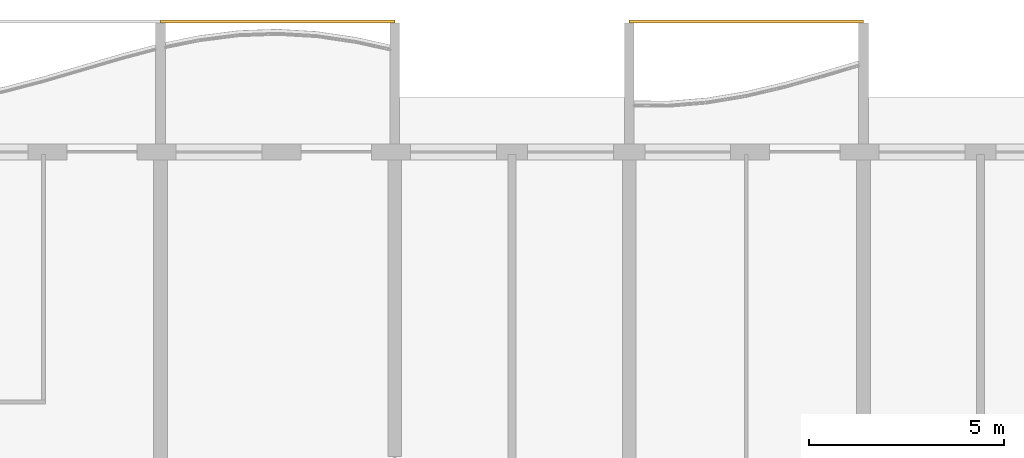
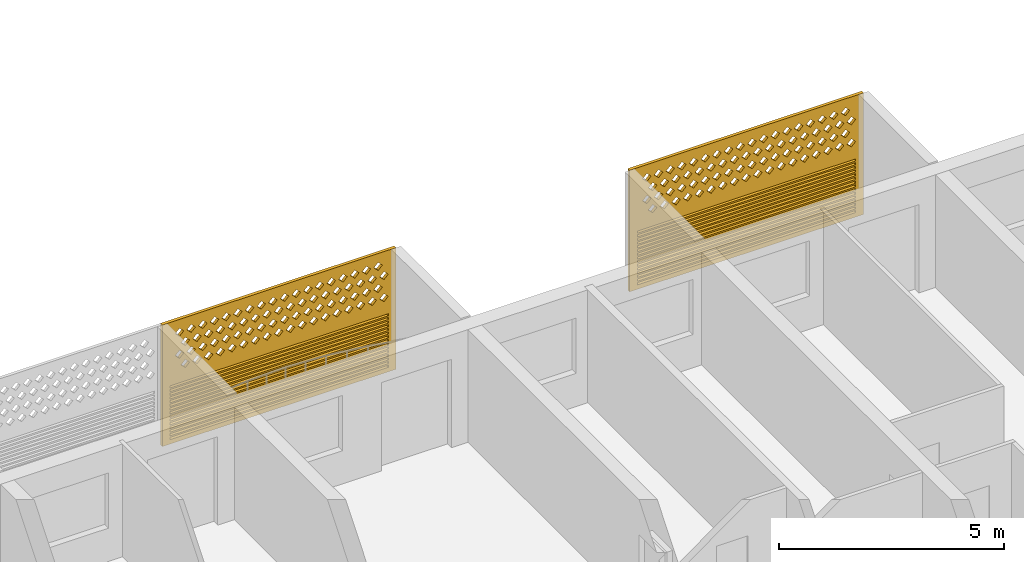
# One storey, part 25 of 28: 2 coverings.
"""IFC4 building model written with IfcOpenShell, lengths in metres."""

from ifc_helpers import new_model, si_unit, direction, frame, origin, place, context, subcontext, project, spatial, polyline, outline, extrude, source, transform, mapped, material, material_profile, profile_set, type_object, element, save


model = new_model("IFC4")

# Units and contexts
model_context = context("Model", 3, precision=1e-05, world=origin(), true_north=direction((0.0, 1.0)))
body_context = subcontext(model_context, "Body", "Model", "MODEL_VIEW")
ifc_project = project(units=[si_unit("LENGTHUNIT", "METRE"), si_unit("AREAUNIT", "SQUARE_METRE"), si_unit("VOLUMEUNIT", "CUBIC_METRE"), si_unit("PLANEANGLEUNIT", "RADIAN"), si_unit("MASSUNIT", "GRAM", prefix="KILO")], contexts=[model_context])

# Site, building, storey
site_placement = place(None, origin())
site = spatial("IfcSite", under=ifc_project, at=site_placement, CompositionType="ELEMENT")
building_placement = place(site_placement, origin())
building = spatial("IfcBuilding", under=site, at=building_placement, Name="Poui Terraces", CompositionType="ELEMENT")
storey_placement = place(building_placement, frame((0.0, 0.0, 72.89990234375)))
storey = spatial("IfcBuildingStorey", under=building, at=storey_placement, Name="L19", CompositionType="ELEMENT", Elevation=72.89990234375)

# Coverings
ifc_material = material(Name="Terracotta screen", Category="masonry")
ifc_material_profile = material_profile(ifc_material, outline(polyline([(-3.0, -1.64990234375), (3.0, -1.64990234375), (3.0, 1.64990234375), (-3.0, 1.64990234375), (-3.0, -1.64990234375)]), holes=[polyline([(-2.800048828125, 0.39990234375), (-2.68994140625, 0.2900390625), (-2.580078125, 0.39990234375), (-2.68994140625, 0.510009765625), (-2.800048828125, 0.39990234375)]), polyline([(-2.5, 0.39990234375), (-2.389892578125, 0.2900390625), (-2.280029296875, 0.39990234375), (-2.389892578125, 0.510009765625), (-2.5, 0.39990234375)]), polyline([(-2.199951171875, 0.39990234375), (-2.090087890625, 0.2900390625), (-1.97998046875, 0.39990234375), (-2.090087890625, 0.510009765625), (-2.199951171875, 0.39990234375)]), polyline([(-1.89990234375, 0.39990234375), (-1.7900390625, 0.2900390625), (-1.679931640625, 0.39990234375), (-1.7900390625, 0.510009765625), (-1.89990234375, 0.39990234375)]), polyline([(-1.60009765625, 0.39990234375), (-1.489990234375, 0.2900390625), (-1.3798828125, 0.39990234375), (-1.489990234375, 0.510009765625), (-1.60009765625, 0.39990234375)]), polyline([(-1.300048828125, 0.39990234375), (-1.18994140625, 0.2900390625), (-1.080078125, 0.39990234375), (-1.18994140625, 0.510009765625), (-1.300048828125, 0.39990234375)]), polyline([(-1.0, 0.39990234375), (-0.889892578125, 0.2900390625), (-0.780029296875, 0.39990234375), (-0.889892578125, 0.510009765625), (-1.0, 0.39990234375)]), polyline([(-0.699951171875, 0.39990234375), (-0.590087890625, 0.2900390625), (-0.47998046875, 0.39990234375), (-0.590087890625, 0.510009765625), (-0.699951171875, 0.39990234375)]), polyline([(-0.39990234375, 0.39990234375), (-0.2900390625, 0.2900390625), (-0.179931640625, 0.39990234375), (-0.2900390625, 0.510009765625), (-0.39990234375, 0.39990234375)]), polyline([(-0.10009765625, 0.39990234375), (0.010009765625, 0.2900390625), (0.1201171875, 0.39990234375), (0.010009765625, 0.510009765625), (-0.10009765625, 0.39990234375)]), polyline([(0.199951171875, 0.39990234375), (0.31005859375, 0.2900390625), (0.419921875, 0.39990234375), (0.31005859375, 0.510009765625), (0.199951171875, 0.39990234375)]), polyline([(0.5, 0.39990234375), (0.610107421875, 0.2900390625), (0.719970703125, 0.39990234375), (0.610107421875, 0.510009765625), (0.5, 0.39990234375)]), polyline([(0.800048828125, 0.39990234375), (0.909912109375, 0.2900390625), (1.02001953125, 0.39990234375), (0.909912109375, 0.510009765625), (0.800048828125, 0.39990234375)]), polyline([(1.10009765625, 0.39990234375), (1.2099609375, 0.2900390625), (1.320068359375, 0.39990234375), (1.2099609375, 0.510009765625), (1.10009765625, 0.39990234375)]), polyline([(1.39990234375, 0.39990234375), (1.510009765625, 0.2900390625), (1.6201171875, 0.39990234375), (1.510009765625, 0.510009765625), (1.39990234375, 0.39990234375)]), polyline([(1.699951171875, 0.39990234375), (1.81005859375, 0.2900390625), (1.919921875, 0.39990234375), (1.81005859375, 0.510009765625), (1.699951171875, 0.39990234375)]), polyline([(2.0, 0.39990234375), (2.110107421875, 0.2900390625), (2.219970703125, 0.39990234375), (2.110107421875, 0.510009765625), (2.0, 0.39990234375)]), polyline([(2.300048828125, 0.39990234375), (2.409912109375, 0.2900390625), (2.52001953125, 0.39990234375), (2.409912109375, 0.510009765625), (2.300048828125, 0.39990234375)]), polyline([(-2.64990234375, 0.699951171875), (-2.5400390625, 0.590087890625), (-2.429931640625, 0.699951171875), (-2.5400390625, 0.81005859375), (-2.64990234375, 0.699951171875)]), polyline([(-2.35009765625, 0.699951171875), (-2.239990234375, 0.590087890625), (-2.1298828125, 0.699951171875), (-2.239990234375, 0.81005859375), (-2.35009765625, 0.699951171875)]), polyline([(-2.050048828125, 0.699951171875), (-1.93994140625, 0.590087890625), (-1.830078125, 0.699951171875), (-1.93994140625, 0.81005859375), (-2.050048828125, 0.699951171875)]), polyline([(-1.75, 0.699951171875), (-1.639892578125, 0.590087890625), (-1.530029296875, 0.699951171875), (-1.639892578125, 0.81005859375), (-1.75, 0.699951171875)]), polyline([(-1.449951171875, 0.699951171875), (-1.340087890625, 0.590087890625), (-1.22998046875, 0.699951171875), (-1.340087890625, 0.81005859375), (-1.449951171875, 0.699951171875)]), polyline([(-1.14990234375, 0.699951171875), (-1.0400390625, 0.590087890625), (-0.929931640625, 0.699951171875), (-1.0400390625, 0.81005859375), (-1.14990234375, 0.699951171875)]), polyline([(-0.85009765625, 0.699951171875), (-0.739990234375, 0.590087890625), (-0.6298828125, 0.699951171875), (-0.739990234375, 0.81005859375), (-0.85009765625, 0.699951171875)]), polyline([(-0.550048828125, 0.699951171875), (-0.43994140625, 0.590087890625), (-0.330078125, 0.699951171875), (-0.43994140625, 0.81005859375), (-0.550048828125, 0.699951171875)]), polyline([(-0.25, 0.699951171875), (-0.139892578125, 0.590087890625), (-0.030029296875, 0.699951171875), (-0.139892578125, 0.81005859375), (-0.25, 0.699951171875)]), polyline([(0.050048828125, 0.699951171875), (0.159912109375, 0.590087890625), (0.27001953125, 0.699951171875), (0.159912109375, 0.81005859375), (0.050048828125, 0.699951171875)]), polyline([(0.35009765625, 0.699951171875), (0.4599609375, 0.590087890625), (0.570068359375, 0.699951171875), (0.4599609375, 0.81005859375), (0.35009765625, 0.699951171875)]), polyline([(0.64990234375, 0.699951171875), (0.760009765625, 0.590087890625), (0.8701171875, 0.699951171875), (0.760009765625, 0.81005859375), (0.64990234375, 0.699951171875)]), polyline([(0.949951171875, 0.699951171875), (1.06005859375, 0.590087890625), (1.169921875, 0.699951171875), (1.06005859375, 0.81005859375), (0.949951171875, 0.699951171875)]), polyline([(1.25, 0.699951171875), (1.360107421875, 0.590087890625), (1.469970703125, 0.699951171875), (1.360107421875, 0.81005859375), (1.25, 0.699951171875)]), polyline([(1.550048828125, 0.699951171875), (1.659912109375, 0.590087890625), (1.77001953125, 0.699951171875), (1.659912109375, 0.81005859375), (1.550048828125, 0.699951171875)]), polyline([(1.85009765625, 0.699951171875), (1.9599609375, 0.590087890625), (2.070068359375, 0.699951171875), (1.9599609375, 0.81005859375), (1.85009765625, 0.699951171875)]), polyline([(2.14990234375, 0.699951171875), (2.260009765625, 0.590087890625), (2.3701171875, 0.699951171875), (2.260009765625, 0.81005859375), (2.14990234375, 0.699951171875)]), polyline([(2.449951171875, 0.699951171875), (2.56005859375, 0.590087890625), (2.669921875, 0.699951171875), (2.56005859375, 0.81005859375), (2.449951171875, 0.699951171875)]), polyline([(-2.800048828125, 1.0), (-2.68994140625, 0.889892578125), (-2.580078125, 1.0), (-2.68994140625, 1.110107421875), (-2.800048828125, 1.0)]), polyline([(-2.5, 1.0), (-2.389892578125, 0.889892578125), (-2.280029296875, 1.0), (-2.389892578125, 1.110107421875), (-2.5, 1.0)]), polyline([(-2.199951171875, 1.0), (-2.090087890625, 0.889892578125), (-1.97998046875, 1.0), (-2.090087890625, 1.110107421875), (-2.199951171875, 1.0)]), polyline([(-1.89990234375, 1.0), (-1.7900390625, 0.889892578125), (-1.679931640625, 1.0), (-1.7900390625, 1.110107421875), (-1.89990234375, 1.0)]), polyline([(-1.60009765625, 1.0), (-1.489990234375, 0.889892578125), (-1.3798828125, 1.0), (-1.489990234375, 1.110107421875), (-1.60009765625, 1.0)]), polyline([(-1.300048828125, 1.0), (-1.18994140625, 0.889892578125), (-1.080078125, 1.0), (-1.18994140625, 1.110107421875), (-1.300048828125, 1.0)]), polyline([(-1.0, 1.0), (-0.889892578125, 0.889892578125), (-0.780029296875, 1.0), (-0.889892578125, 1.110107421875), (-1.0, 1.0)]), polyline([(-0.699951171875, 1.0), (-0.590087890625, 0.889892578125), (-0.47998046875, 1.0), (-0.590087890625, 1.110107421875), (-0.699951171875, 1.0)]), polyline([(-0.39990234375, 1.0), (-0.2900390625, 0.889892578125), (-0.179931640625, 1.0), (-0.2900390625, 1.110107421875), (-0.39990234375, 1.0)]), polyline([(-0.10009765625, 1.0), (0.010009765625, 0.889892578125), (0.1201171875, 1.0), (0.010009765625, 1.110107421875), (-0.10009765625, 1.0)]), polyline([(0.199951171875, 1.0), (0.31005859375, 0.889892578125), (0.419921875, 1.0), (0.31005859375, 1.110107421875), (0.199951171875, 1.0)]), polyline([(0.5, 1.0), (0.610107421875, 0.889892578125), (0.719970703125, 1.0), (0.610107421875, 1.110107421875), (0.5, 1.0)]), polyline([(0.800048828125, 1.0), (0.909912109375, 0.889892578125), (1.02001953125, 1.0), (0.909912109375, 1.110107421875), (0.800048828125, 1.0)]), polyline([(1.10009765625, 1.0), (1.2099609375, 0.889892578125), (1.320068359375, 1.0), (1.2099609375, 1.110107421875), (1.10009765625, 1.0)]), polyline([(1.39990234375, 1.0), (1.510009765625, 0.889892578125), (1.6201171875, 1.0), (1.510009765625, 1.110107421875), (1.39990234375, 1.0)]), polyline([(1.699951171875, 1.0), (1.81005859375, 0.889892578125), (1.919921875, 1.0), (1.81005859375, 1.110107421875), (1.699951171875, 1.0)]), polyline([(2.0, 1.0), (2.110107421875, 0.889892578125), (2.219970703125, 1.0), (2.110107421875, 1.110107421875), (2.0, 1.0)]), polyline([(2.300048828125, 1.0), (2.409912109375, 0.889892578125), (2.52001953125, 1.0), (2.409912109375, 1.110107421875), (2.300048828125, 1.0)]), polyline([(-2.64990234375, 1.300048828125), (-2.5400390625, 1.18994140625), (-2.429931640625, 1.300048828125), (-2.5400390625, 1.409912109375), (-2.64990234375, 1.300048828125)]), polyline([(-2.35009765625, 1.300048828125), (-2.239990234375, 1.18994140625), (-2.1298828125, 1.300048828125), (-2.239990234375, 1.409912109375), (-2.35009765625, 1.300048828125)]), polyline([(-2.050048828125, 1.300048828125), (-1.93994140625, 1.18994140625), (-1.830078125, 1.300048828125), (-1.93994140625, 1.409912109375), (-2.050048828125, 1.300048828125)]), polyline([(-1.75, 1.300048828125), (-1.639892578125, 1.18994140625), (-1.530029296875, 1.300048828125), (-1.639892578125, 1.409912109375), (-1.75, 1.300048828125)]), polyline([(-1.449951171875, 1.300048828125), (-1.340087890625, 1.18994140625), (-1.22998046875, 1.300048828125), (-1.340087890625, 1.409912109375), (-1.449951171875, 1.300048828125)]), polyline([(-1.14990234375, 1.300048828125), (-1.0400390625, 1.18994140625), (-0.929931640625, 1.300048828125), (-1.0400390625, 1.409912109375), (-1.14990234375, 1.300048828125)]), polyline([(-0.85009765625, 1.300048828125), (-0.739990234375, 1.18994140625), (-0.6298828125, 1.300048828125), (-0.739990234375, 1.409912109375), (-0.85009765625, 1.300048828125)]), polyline([(-0.550048828125, 1.300048828125), (-0.43994140625, 1.18994140625), (-0.330078125, 1.300048828125), (-0.43994140625, 1.409912109375), (-0.550048828125, 1.300048828125)]), polyline([(-0.25, 1.300048828125), (-0.139892578125, 1.18994140625), (-0.030029296875, 1.300048828125), (-0.139892578125, 1.409912109375), (-0.25, 1.300048828125)]), polyline([(0.050048828125, 1.300048828125), (0.159912109375, 1.18994140625), (0.27001953125, 1.300048828125), (0.159912109375, 1.409912109375), (0.050048828125, 1.300048828125)]), polyline([(0.35009765625, 1.300048828125), (0.4599609375, 1.18994140625), (0.570068359375, 1.300048828125), (0.4599609375, 1.409912109375), (0.35009765625, 1.300048828125)]), polyline([(0.64990234375, 1.300048828125), (0.760009765625, 1.18994140625), (0.8701171875, 1.300048828125), (0.760009765625, 1.409912109375), (0.64990234375, 1.300048828125)]), polyline([(0.949951171875, 1.300048828125), (1.06005859375, 1.18994140625), (1.169921875, 1.300048828125), (1.06005859375, 1.409912109375), (0.949951171875, 1.300048828125)]), polyline([(1.25, 1.300048828125), (1.360107421875, 1.18994140625), (1.469970703125, 1.300048828125), (1.360107421875, 1.409912109375), (1.25, 1.300048828125)]), polyline([(1.550048828125, 1.300048828125), (1.659912109375, 1.18994140625), (1.77001953125, 1.300048828125), (1.659912109375, 1.409912109375), (1.550048828125, 1.300048828125)]), polyline([(1.85009765625, 1.300048828125), (1.9599609375, 1.18994140625), (2.070068359375, 1.300048828125), (1.9599609375, 1.409912109375), (1.85009765625, 1.300048828125)]), polyline([(2.14990234375, 1.300048828125), (2.260009765625, 1.18994140625), (2.3701171875, 1.300048828125), (2.260009765625, 1.409912109375), (2.14990234375, 1.300048828125)]), polyline([(2.449951171875, 1.300048828125), (2.56005859375, 1.18994140625), (2.669921875, 1.300048828125), (2.56005859375, 1.409912109375), (2.449951171875, 1.300048828125)]), polyline([(-2.800048828125, -1.530029296875), (2.800048828125, -1.530029296875), (2.800048828125, -1.469970703125), (-2.800048828125, -1.469970703125), (-2.800048828125, -1.530029296875)]), polyline([(-2.800048828125, -1.429931640625), (2.800048828125, -1.429931640625), (2.800048828125, -1.3701171875), (-2.800048828125, -1.3701171875), (-2.800048828125, -1.429931640625)]), polyline([(-2.800048828125, -1.330078125), (2.800048828125, -1.330078125), (2.800048828125, -1.27001953125), (-2.800048828125, -1.27001953125), (-2.800048828125, -1.330078125)]), polyline([(-2.800048828125, -1.22998046875), (2.800048828125, -1.22998046875), (2.800048828125, -1.169921875), (-2.800048828125, -1.169921875), (-2.800048828125, -1.22998046875)]), polyline([(-2.800048828125, -1.1298828125), (2.800048828125, -1.1298828125), (2.800048828125, -1.070068359375), (-2.800048828125, -1.070068359375), (-2.800048828125, -1.1298828125)]), polyline([(-2.800048828125, -1.030029296875), (2.800048828125, -1.030029296875), (2.800048828125, -0.969970703125), (-2.800048828125, -0.969970703125), (-2.800048828125, -1.030029296875)]), polyline([(-2.800048828125, -0.929931640625), (2.800048828125, -0.929931640625), (2.800048828125, -0.8701171875), (-2.800048828125, -0.8701171875), (-2.800048828125, -0.929931640625)]), polyline([(-2.800048828125, -0.830078125), (2.800048828125, -0.830078125), (2.800048828125, -0.77001953125), (-2.800048828125, -0.77001953125), (-2.800048828125, -0.830078125)]), polyline([(-2.800048828125, -0.72998046875), (2.800048828125, -0.72998046875), (2.800048828125, -0.669921875), (-2.800048828125, -0.669921875), (-2.800048828125, -0.72998046875)]), polyline([(-2.800048828125, -0.6298828125), (2.800048828125, -0.6298828125), (2.800048828125, -0.570068359375), (-2.800048828125, -0.570068359375), (-2.800048828125, -0.6298828125)]), polyline([(-2.800048828125, -0.530029296875), (2.800048828125, -0.530029296875), (2.800048828125, -0.469970703125), (-2.800048828125, -0.469970703125), (-2.800048828125, -0.530029296875)]), polyline([(-2.800048828125, -0.429931640625), (2.800048828125, -0.429931640625), (2.800048828125, -0.3701171875), (-2.800048828125, -0.3701171875), (-2.800048828125, -0.429931640625)]), polyline([(-2.800048828125, -0.330078125), (2.800048828125, -0.330078125), (2.800048828125, -0.27001953125), (-2.800048828125, -0.27001953125), (-2.800048828125, -0.330078125)]), polyline([(-2.800048828125, -0.22998046875), (2.800048828125, -0.22998046875), (2.800048828125, -0.169921875), (-2.800048828125, -0.169921875), (-2.800048828125, -0.22998046875)]), polyline([(-2.800048828125, -0.1298828125), (2.800048828125, -0.1298828125), (2.800048828125, -0.070068359375), (-2.800048828125, -0.070068359375), (-2.800048828125, -0.1298828125)])]), Name="TERRACOTTA SCREEN AND JALOUSIE LOUVRE 6000X3300")
ifc_profile_set = profile_set([ifc_material_profile], Name="Terracotta screen")
covering_type = type_object("IfcCoveringType", Name="TERRACOTTA SCREEN AND JALOUSIE LOUVRE 6000X3300", PredefinedType="CLADDING", material=ifc_profile_set)
shared_shape = source(origin(), body_context, "Body", "SweptSolid", [
    extrude(outline(polyline([(-3.0, -1.64990234375), (3.0, -1.64990234375), (3.0, 1.64990234375), (-3.0, 1.64990234375), (-3.0, -1.64990234375)]), holes=[polyline([(-2.800048828125, 0.39990234375), (-2.68994140625, 0.2900390625), (-2.580078125, 0.39990234375), (-2.68994140625, 0.510009765625), (-2.800048828125, 0.39990234375)]), polyline([(-2.5, 0.39990234375), (-2.389892578125, 0.2900390625), (-2.280029296875, 0.39990234375), (-2.389892578125, 0.510009765625), (-2.5, 0.39990234375)]), polyline([(-2.199951171875, 0.39990234375), (-2.090087890625, 0.2900390625), (-1.97998046875, 0.39990234375), (-2.090087890625, 0.510009765625), (-2.199951171875, 0.39990234375)]), polyline([(-1.89990234375, 0.39990234375), (-1.7900390625, 0.2900390625), (-1.679931640625, 0.39990234375), (-1.7900390625, 0.510009765625), (-1.89990234375, 0.39990234375)]), polyline([(-1.60009765625, 0.39990234375), (-1.489990234375, 0.2900390625), (-1.3798828125, 0.39990234375), (-1.489990234375, 0.510009765625), (-1.60009765625, 0.39990234375)]), polyline([(-1.300048828125, 0.39990234375), (-1.18994140625, 0.2900390625), (-1.080078125, 0.39990234375), (-1.18994140625, 0.510009765625), (-1.300048828125, 0.39990234375)]), polyline([(-1.0, 0.39990234375), (-0.889892578125, 0.2900390625), (-0.780029296875, 0.39990234375), (-0.889892578125, 0.510009765625), (-1.0, 0.39990234375)]), polyline([(-0.699951171875, 0.39990234375), (-0.590087890625, 0.2900390625), (-0.47998046875, 0.39990234375), (-0.590087890625, 0.510009765625), (-0.699951171875, 0.39990234375)]), polyline([(-0.39990234375, 0.39990234375), (-0.2900390625, 0.2900390625), (-0.179931640625, 0.39990234375), (-0.2900390625, 0.510009765625), (-0.39990234375, 0.39990234375)]), polyline([(-0.10009765625, 0.39990234375), (0.010009765625, 0.2900390625), (0.1201171875, 0.39990234375), (0.010009765625, 0.510009765625), (-0.10009765625, 0.39990234375)]), polyline([(0.199951171875, 0.39990234375), (0.31005859375, 0.2900390625), (0.419921875, 0.39990234375), (0.31005859375, 0.510009765625), (0.199951171875, 0.39990234375)]), polyline([(0.5, 0.39990234375), (0.610107421875, 0.2900390625), (0.719970703125, 0.39990234375), (0.610107421875, 0.510009765625), (0.5, 0.39990234375)]), polyline([(0.800048828125, 0.39990234375), (0.909912109375, 0.2900390625), (1.02001953125, 0.39990234375), (0.909912109375, 0.510009765625), (0.800048828125, 0.39990234375)]), polyline([(1.10009765625, 0.39990234375), (1.2099609375, 0.2900390625), (1.320068359375, 0.39990234375), (1.2099609375, 0.510009765625), (1.10009765625, 0.39990234375)]), polyline([(1.39990234375, 0.39990234375), (1.510009765625, 0.2900390625), (1.6201171875, 0.39990234375), (1.510009765625, 0.510009765625), (1.39990234375, 0.39990234375)]), polyline([(1.699951171875, 0.39990234375), (1.81005859375, 0.2900390625), (1.919921875, 0.39990234375), (1.81005859375, 0.510009765625), (1.699951171875, 0.39990234375)]), polyline([(2.0, 0.39990234375), (2.110107421875, 0.2900390625), (2.219970703125, 0.39990234375), (2.110107421875, 0.510009765625), (2.0, 0.39990234375)]), polyline([(2.300048828125, 0.39990234375), (2.409912109375, 0.2900390625), (2.52001953125, 0.39990234375), (2.409912109375, 0.510009765625), (2.300048828125, 0.39990234375)]), polyline([(-2.64990234375, 0.699951171875), (-2.5400390625, 0.590087890625), (-2.429931640625, 0.699951171875), (-2.5400390625, 0.81005859375), (-2.64990234375, 0.699951171875)]), polyline([(-2.35009765625, 0.699951171875), (-2.239990234375, 0.590087890625), (-2.1298828125, 0.699951171875), (-2.239990234375, 0.81005859375), (-2.35009765625, 0.699951171875)]), polyline([(-2.050048828125, 0.699951171875), (-1.93994140625, 0.590087890625), (-1.830078125, 0.699951171875), (-1.93994140625, 0.81005859375), (-2.050048828125, 0.699951171875)]), polyline([(-1.75, 0.699951171875), (-1.639892578125, 0.590087890625), (-1.530029296875, 0.699951171875), (-1.639892578125, 0.81005859375), (-1.75, 0.699951171875)]), polyline([(-1.449951171875, 0.699951171875), (-1.340087890625, 0.590087890625), (-1.22998046875, 0.699951171875), (-1.340087890625, 0.81005859375), (-1.449951171875, 0.699951171875)]), polyline([(-1.14990234375, 0.699951171875), (-1.0400390625, 0.590087890625), (-0.929931640625, 0.699951171875), (-1.0400390625, 0.81005859375), (-1.14990234375, 0.699951171875)]), polyline([(-0.85009765625, 0.699951171875), (-0.739990234375, 0.590087890625), (-0.6298828125, 0.699951171875), (-0.739990234375, 0.81005859375), (-0.85009765625, 0.699951171875)]), polyline([(-0.550048828125, 0.699951171875), (-0.43994140625, 0.590087890625), (-0.330078125, 0.699951171875), (-0.43994140625, 0.81005859375), (-0.550048828125, 0.699951171875)]), polyline([(-0.25, 0.699951171875), (-0.139892578125, 0.590087890625), (-0.030029296875, 0.699951171875), (-0.139892578125, 0.81005859375), (-0.25, 0.699951171875)]), polyline([(0.050048828125, 0.699951171875), (0.159912109375, 0.590087890625), (0.27001953125, 0.699951171875), (0.159912109375, 0.81005859375), (0.050048828125, 0.699951171875)]), polyline([(0.35009765625, 0.699951171875), (0.4599609375, 0.590087890625), (0.570068359375, 0.699951171875), (0.4599609375, 0.81005859375), (0.35009765625, 0.699951171875)]), polyline([(0.64990234375, 0.699951171875), (0.760009765625, 0.590087890625), (0.8701171875, 0.699951171875), (0.760009765625, 0.81005859375), (0.64990234375, 0.699951171875)]), polyline([(0.949951171875, 0.699951171875), (1.06005859375, 0.590087890625), (1.169921875, 0.699951171875), (1.06005859375, 0.81005859375), (0.949951171875, 0.699951171875)]), polyline([(1.25, 0.699951171875), (1.360107421875, 0.590087890625), (1.469970703125, 0.699951171875), (1.360107421875, 0.81005859375), (1.25, 0.699951171875)]), polyline([(1.550048828125, 0.699951171875), (1.659912109375, 0.590087890625), (1.77001953125, 0.699951171875), (1.659912109375, 0.81005859375), (1.550048828125, 0.699951171875)]), polyline([(1.85009765625, 0.699951171875), (1.9599609375, 0.590087890625), (2.070068359375, 0.699951171875), (1.9599609375, 0.81005859375), (1.85009765625, 0.699951171875)]), polyline([(2.14990234375, 0.699951171875), (2.260009765625, 0.590087890625), (2.3701171875, 0.699951171875), (2.260009765625, 0.81005859375), (2.14990234375, 0.699951171875)]), polyline([(2.449951171875, 0.699951171875), (2.56005859375, 0.590087890625), (2.669921875, 0.699951171875), (2.56005859375, 0.81005859375), (2.449951171875, 0.699951171875)]), polyline([(-2.800048828125, 1.0), (-2.68994140625, 0.889892578125), (-2.580078125, 1.0), (-2.68994140625, 1.110107421875), (-2.800048828125, 1.0)]), polyline([(-2.5, 1.0), (-2.389892578125, 0.889892578125), (-2.280029296875, 1.0), (-2.389892578125, 1.110107421875), (-2.5, 1.0)]), polyline([(-2.199951171875, 1.0), (-2.090087890625, 0.889892578125), (-1.97998046875, 1.0), (-2.090087890625, 1.110107421875), (-2.199951171875, 1.0)]), polyline([(-1.89990234375, 1.0), (-1.7900390625, 0.889892578125), (-1.679931640625, 1.0), (-1.7900390625, 1.110107421875), (-1.89990234375, 1.0)]), polyline([(-1.60009765625, 1.0), (-1.489990234375, 0.889892578125), (-1.3798828125, 1.0), (-1.489990234375, 1.110107421875), (-1.60009765625, 1.0)]), polyline([(-1.300048828125, 1.0), (-1.18994140625, 0.889892578125), (-1.080078125, 1.0), (-1.18994140625, 1.110107421875), (-1.300048828125, 1.0)]), polyline([(-1.0, 1.0), (-0.889892578125, 0.889892578125), (-0.780029296875, 1.0), (-0.889892578125, 1.110107421875), (-1.0, 1.0)]), polyline([(-0.699951171875, 1.0), (-0.590087890625, 0.889892578125), (-0.47998046875, 1.0), (-0.590087890625, 1.110107421875), (-0.699951171875, 1.0)]), polyline([(-0.39990234375, 1.0), (-0.2900390625, 0.889892578125), (-0.179931640625, 1.0), (-0.2900390625, 1.110107421875), (-0.39990234375, 1.0)]), polyline([(-0.10009765625, 1.0), (0.010009765625, 0.889892578125), (0.1201171875, 1.0), (0.010009765625, 1.110107421875), (-0.10009765625, 1.0)]), polyline([(0.199951171875, 1.0), (0.31005859375, 0.889892578125), (0.419921875, 1.0), (0.31005859375, 1.110107421875), (0.199951171875, 1.0)]), polyline([(0.5, 1.0), (0.610107421875, 0.889892578125), (0.719970703125, 1.0), (0.610107421875, 1.110107421875), (0.5, 1.0)]), polyline([(0.800048828125, 1.0), (0.909912109375, 0.889892578125), (1.02001953125, 1.0), (0.909912109375, 1.110107421875), (0.800048828125, 1.0)]), polyline([(1.10009765625, 1.0), (1.2099609375, 0.889892578125), (1.320068359375, 1.0), (1.2099609375, 1.110107421875), (1.10009765625, 1.0)]), polyline([(1.39990234375, 1.0), (1.510009765625, 0.889892578125), (1.6201171875, 1.0), (1.510009765625, 1.110107421875), (1.39990234375, 1.0)]), polyline([(1.699951171875, 1.0), (1.81005859375, 0.889892578125), (1.919921875, 1.0), (1.81005859375, 1.110107421875), (1.699951171875, 1.0)]), polyline([(2.0, 1.0), (2.110107421875, 0.889892578125), (2.219970703125, 1.0), (2.110107421875, 1.110107421875), (2.0, 1.0)]), polyline([(2.300048828125, 1.0), (2.409912109375, 0.889892578125), (2.52001953125, 1.0), (2.409912109375, 1.110107421875), (2.300048828125, 1.0)]), polyline([(-2.64990234375, 1.300048828125), (-2.5400390625, 1.18994140625), (-2.429931640625, 1.300048828125), (-2.5400390625, 1.409912109375), (-2.64990234375, 1.300048828125)]), polyline([(-2.35009765625, 1.300048828125), (-2.239990234375, 1.18994140625), (-2.1298828125, 1.300048828125), (-2.239990234375, 1.409912109375), (-2.35009765625, 1.300048828125)]), polyline([(-2.050048828125, 1.300048828125), (-1.93994140625, 1.18994140625), (-1.830078125, 1.300048828125), (-1.93994140625, 1.409912109375), (-2.050048828125, 1.300048828125)]), polyline([(-1.75, 1.300048828125), (-1.639892578125, 1.18994140625), (-1.530029296875, 1.300048828125), (-1.639892578125, 1.409912109375), (-1.75, 1.300048828125)]), polyline([(-1.449951171875, 1.300048828125), (-1.340087890625, 1.18994140625), (-1.22998046875, 1.300048828125), (-1.340087890625, 1.409912109375), (-1.449951171875, 1.300048828125)]), polyline([(-1.14990234375, 1.300048828125), (-1.0400390625, 1.18994140625), (-0.929931640625, 1.300048828125), (-1.0400390625, 1.409912109375), (-1.14990234375, 1.300048828125)]), polyline([(-0.85009765625, 1.300048828125), (-0.739990234375, 1.18994140625), (-0.6298828125, 1.300048828125), (-0.739990234375, 1.409912109375), (-0.85009765625, 1.300048828125)]), polyline([(-0.550048828125, 1.300048828125), (-0.43994140625, 1.18994140625), (-0.330078125, 1.300048828125), (-0.43994140625, 1.409912109375), (-0.550048828125, 1.300048828125)]), polyline([(-0.25, 1.300048828125), (-0.139892578125, 1.18994140625), (-0.030029296875, 1.300048828125), (-0.139892578125, 1.409912109375), (-0.25, 1.300048828125)]), polyline([(0.050048828125, 1.300048828125), (0.159912109375, 1.18994140625), (0.27001953125, 1.300048828125), (0.159912109375, 1.409912109375), (0.050048828125, 1.300048828125)]), polyline([(0.35009765625, 1.300048828125), (0.4599609375, 1.18994140625), (0.570068359375, 1.300048828125), (0.4599609375, 1.409912109375), (0.35009765625, 1.300048828125)]), polyline([(0.64990234375, 1.300048828125), (0.760009765625, 1.18994140625), (0.8701171875, 1.300048828125), (0.760009765625, 1.409912109375), (0.64990234375, 1.300048828125)]), polyline([(0.949951171875, 1.300048828125), (1.06005859375, 1.18994140625), (1.169921875, 1.300048828125), (1.06005859375, 1.409912109375), (0.949951171875, 1.300048828125)]), polyline([(1.25, 1.300048828125), (1.360107421875, 1.18994140625), (1.469970703125, 1.300048828125), (1.360107421875, 1.409912109375), (1.25, 1.300048828125)]), polyline([(1.550048828125, 1.300048828125), (1.659912109375, 1.18994140625), (1.77001953125, 1.300048828125), (1.659912109375, 1.409912109375), (1.550048828125, 1.300048828125)]), polyline([(1.85009765625, 1.300048828125), (1.9599609375, 1.18994140625), (2.070068359375, 1.300048828125), (1.9599609375, 1.409912109375), (1.85009765625, 1.300048828125)]), polyline([(2.14990234375, 1.300048828125), (2.260009765625, 1.18994140625), (2.3701171875, 1.300048828125), (2.260009765625, 1.409912109375), (2.14990234375, 1.300048828125)]), polyline([(2.449951171875, 1.300048828125), (2.56005859375, 1.18994140625), (2.669921875, 1.300048828125), (2.56005859375, 1.409912109375), (2.449951171875, 1.300048828125)]), polyline([(-2.800048828125, -1.530029296875), (2.800048828125, -1.530029296875), (2.800048828125, -1.469970703125), (-2.800048828125, -1.469970703125), (-2.800048828125, -1.530029296875)]), polyline([(-2.800048828125, -1.429931640625), (2.800048828125, -1.429931640625), (2.800048828125, -1.3701171875), (-2.800048828125, -1.3701171875), (-2.800048828125, -1.429931640625)]), polyline([(-2.800048828125, -1.330078125), (2.800048828125, -1.330078125), (2.800048828125, -1.27001953125), (-2.800048828125, -1.27001953125), (-2.800048828125, -1.330078125)]), polyline([(-2.800048828125, -1.22998046875), (2.800048828125, -1.22998046875), (2.800048828125, -1.169921875), (-2.800048828125, -1.169921875), (-2.800048828125, -1.22998046875)]), polyline([(-2.800048828125, -1.1298828125), (2.800048828125, -1.1298828125), (2.800048828125, -1.070068359375), (-2.800048828125, -1.070068359375), (-2.800048828125, -1.1298828125)]), polyline([(-2.800048828125, -1.030029296875), (2.800048828125, -1.030029296875), (2.800048828125, -0.969970703125), (-2.800048828125, -0.969970703125), (-2.800048828125, -1.030029296875)]), polyline([(-2.800048828125, -0.929931640625), (2.800048828125, -0.929931640625), (2.800048828125, -0.8701171875), (-2.800048828125, -0.8701171875), (-2.800048828125, -0.929931640625)]), polyline([(-2.800048828125, -0.830078125), (2.800048828125, -0.830078125), (2.800048828125, -0.77001953125), (-2.800048828125, -0.77001953125), (-2.800048828125, -0.830078125)]), polyline([(-2.800048828125, -0.72998046875), (2.800048828125, -0.72998046875), (2.800048828125, -0.669921875), (-2.800048828125, -0.669921875), (-2.800048828125, -0.72998046875)]), polyline([(-2.800048828125, -0.6298828125), (2.800048828125, -0.6298828125), (2.800048828125, -0.570068359375), (-2.800048828125, -0.570068359375), (-2.800048828125, -0.6298828125)]), polyline([(-2.800048828125, -0.530029296875), (2.800048828125, -0.530029296875), (2.800048828125, -0.469970703125), (-2.800048828125, -0.469970703125), (-2.800048828125, -0.530029296875)]), polyline([(-2.800048828125, -0.429931640625), (2.800048828125, -0.429931640625), (2.800048828125, -0.3701171875), (-2.800048828125, -0.3701171875), (-2.800048828125, -0.429931640625)]), polyline([(-2.800048828125, -0.330078125), (2.800048828125, -0.330078125), (2.800048828125, -0.27001953125), (-2.800048828125, -0.27001953125), (-2.800048828125, -0.330078125)]), polyline([(-2.800048828125, -0.22998046875), (2.800048828125, -0.22998046875), (2.800048828125, -0.169921875), (-2.800048828125, -0.169921875), (-2.800048828125, -0.22998046875)]), polyline([(-2.800048828125, -0.1298828125), (2.800048828125, -0.1298828125), (2.800048828125, -0.070068359375), (-2.800048828125, -0.070068359375), (-2.800048828125, -0.1298828125)])]), origin(), (0.0, 0.0, 1.0), 0.080078125),
])
for number, where, z_axis, x_axis, name in (
    (1, (57.0, 46.89990234375, 1.4501953125), (0.0, 1.0, 0.0), (-1.0, 0.0, 0.0), "SOLAR SCREEN AND JALOUSIE LOUVRE"),
    (2, (69.0, 46.89990234375, 1.4501953125), (0.0, 1.0, 0.0), (-1.0, 0.0, 0.0), "SOLAR SCREEN AND JALOUSIE LOUVRE"),
):
    element("IfcCovering", number, at=place(storey_placement, frame(where, z_axis=z_axis, x_axis=x_axis)), inside=storey, type_object=covering_type, Name=name, PredefinedType="CLADDING", context=body_context, shape_type="MappedRepresentation", body=[
        mapped(shared_shape, transform((0.0, 0.0, 0.0))),
    ])

save(model, "model.ifc")
